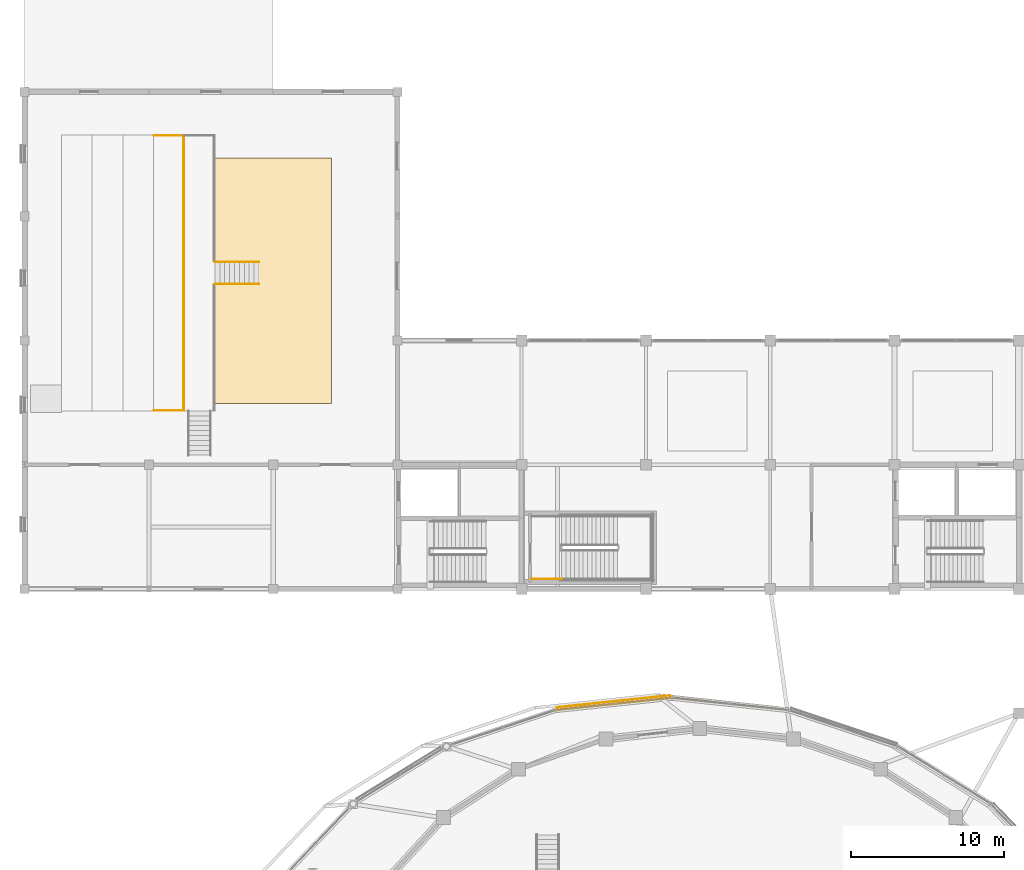
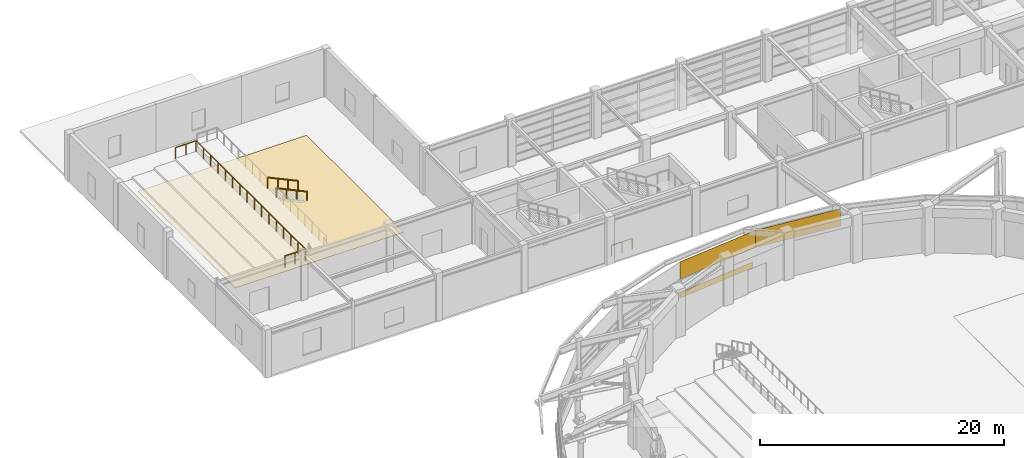
# One storey, part 51 of 56: 4 coverings, 4 railings.
"""IFC4 building model written with IfcOpenShell, lengths in metres."""

from ifc_helpers import new_model, si_unit, direction, frame, origin, origin_2d, place, context, subcontext, project, spatial, rectangle, circle, extrude, material, layer, layer_set, type_object, element, save


model = new_model("IFC4")

# Units and contexts
model_context = context("Model", 3, precision=1e-05, world=origin(), true_north=direction((0.0, 1.0)))
body_context = subcontext(model_context, "Body", "Model", "MODEL_VIEW")
ifc_project = project(units=[si_unit("LENGTHUNIT", "METRE"), si_unit("AREAUNIT", "SQUARE_METRE"), si_unit("VOLUMEUNIT", "CUBIC_METRE"), si_unit("PLANEANGLEUNIT", "RADIAN"), si_unit("MASSUNIT", "GRAM", prefix="KILO")], contexts=[model_context])

# Site, building, storey
site_placement = place(None, origin())
site = spatial("IfcSite", under=ifc_project, at=site_placement, CompositionType="ELEMENT")
building_placement = place(site_placement, origin())
building = spatial("IfcBuilding", under=site, at=building_placement, Name="Parian Resonance Hall", CompositionType="ELEMENT")
storey_placement = place(building_placement, frame((0.0, 0.0, 5.39990234375)))
storey = spatial("IfcBuildingStorey", under=building, at=storey_placement, Name="L01", CompositionType="ELEMENT", Elevation=5.39990234375)

# Coverings
ifc_material_1 = material(Name="Sprung Philippine narra hardwood stage flooring", Category="wood")
ifc_layer_1 = layer(ifc_material_1, 0.030029296875)
ifc_layer_set_1 = layer_set([ifc_layer_1], Name="Sprung Philippine narra hardwood stage flooring")
covering_type_1 = type_object("IfcCoveringType", Name="COV-FLOOR-NARRA", PredefinedType="FLOORING", material=ifc_layer_set_1)
covering_1_placement = place(storey_placement, frame((12.0, 93.0, 0.0), z_axis=(0.0, 0.0, 1.0), x_axis=(1.0, 0.0, 0.0)))
element("IfcCovering", 1, at=covering_1_placement, inside=storey, type_object=covering_type_1, Name="Chamber Music Hall narra flooring", PredefinedType="FLOORING", context=body_context, shape_type="SweptSolid", body=[
    extrude(rectangle(XDim=16.0, YDim=16.0, at=origin_2d()), origin(), (0.0, 0.0, 1.0), 0.030029296875),
])
ifc_material_2 = material(Name="Polychrome trencadis ceramic mosaic cladding")
ifc_layer_2 = layer(ifc_material_2, 0.030029296875)
ifc_layer_set_2 = layer_set([ifc_layer_2], Name="Polychrome trencadis ceramic mosaic cladding")
covering_type_2 = type_object("IfcCoveringType", Name="COV-MOSAIC-CLAD", PredefinedType="CLADDING", material=ifc_layer_set_2)
covering_2_placement = place(storey_placement, frame((46.004638671875, 65.39794921875, 2.35498046875), z_axis=(0.0, 0.0, 1.0), x_axis=(0.994461526343, -0.10510124939, 0.0)))
element("IfcCovering", 2, at=covering_2_placement, inside=storey, type_object=covering_type_2, Name="Elliptical R1 upper mosaic frieze cladding 06", PredefinedType="CLADDING", context=body_context, shape_type="SweptSolid", body=[
    extrude(rectangle(XDim=7.651611328125, YDim=0.030029296875, at=origin_2d()), origin(), (0.0, 0.0, 1.0), 1.72509765625),
])
covering_3_placement = place(storey_placement, frame((38.377197265625, 65.57080078125, 0.28759765625), z_axis=(0.0, 0.0, 1.0), x_axis=(0.994461526343, 0.10510124939, 0.0)))
element("IfcCovering", 3, at=covering_3_placement, inside=storey, type_object=covering_type_2, Name="Polychrome ceramic mosaic frieze L01-010", PredefinedType="CLADDING", context=body_context, shape_type="SweptSolid", body=[
    extrude(rectangle(XDim=7.45166015625, YDim=0.030029296875, at=origin_2d()), origin(), (0.0, 0.0, 1.0), 0.574951171875),
])
covering_4_placement = place(storey_placement, frame((38.3955078125, 65.39794921875, 2.35498046875), z_axis=(0.0, 0.0, 1.0), x_axis=(0.994461526343, 0.10510124939, 0.0)))
element("IfcCovering", 4, at=covering_4_placement, inside=storey, type_object=covering_type_2, Name="Elliptical R1 upper mosaic frieze cladding 07", PredefinedType="CLADDING", context=body_context, shape_type="SweptSolid", body=[
    extrude(rectangle(XDim=7.651611328125, YDim=0.030029296875, at=origin_2d()), origin(), (0.0, 0.0, 1.0), 1.72509765625),
])

# Railings
ifc_material_3 = material(Name="Patinated bronze whiplash metalwork")
railing_type_1 = type_object("IfcRailingType", Name="RAIL-HALL-BAL-1120", PredefinedType="BALUSTRADE", material=ifc_material_3)
railing_1_placement = place(storey_placement, frame((33.050048828125, 73.550048828125, 0.0)))
element("IfcRailing", 5, at=railing_1_placement, inside=storey, type_object=railing_type_1, Name="L01 ST-07 stair guard 8", PredefinedType="BALUSTRADE", context=body_context, shape_type="SweptSolid", body=[
    extrude(circle(Radius=0.02392578125, at=origin_2d()), frame((0.0, 0.0, 1.076171875), z_axis=(1.0, 0.0, 0.0), x_axis=(0.0, 1.0, 0.0)), (0.0, 0.0, 1.0), 1.9599609375),
    extrude(circle(Radius=0.02099609375, at=origin_2d()), origin(), (0.0, 0.0, 1.0), 1.052001953125),
    extrude(circle(Radius=0.02099609375, at=origin_2d()), frame((0.97998046875, 0.0, 0.0)), (0.0, 0.0, 1.0), 1.052001953125),
    extrude(circle(Radius=0.02099609375, at=origin_2d()), frame((1.9599609375, 0.0, 0.0)), (0.0, 0.0, 1.0), 1.052001953125),
])
railing_2_placement = place(storey_placement, frame((8.43994140625, 84.5400390625, 0.8701171875)))
element("IfcRailing", 6, at=railing_2_placement, inside=storey, type_object=railing_type_1, Name="Auditorium upper tier balustrade GRD-TIER-L01-CH-4", PredefinedType="BALUSTRADE", context=body_context, shape_type="SweptSolid", body=[
    extrude(circle(Radius=0.02392578125, at=origin_2d()), frame((0.0, 0.0, 1.09619140625), z_axis=(1.0, 0.0, 0.0), x_axis=(0.0, 1.0, 0.0)), (0.0, 0.0, 1.0), 1.93994140625),
    extrude(circle(Radius=0.02392578125, at=origin_2d()), frame((1.93994140625, 0.0, 1.09619140625), z_axis=(0.0, 1.0, 0.0), x_axis=(-1.0, 0.0, 0.0)), (0.0, 0.0, 1.0), 17.919921875),
    extrude(circle(Radius=0.02392578125, at=origin_2d()), frame((1.93994140625, 17.919921875, 1.09619140625), z_axis=(-1.0, 0.0, 0.0), x_axis=(0.0, -1.0, 0.0)), (0.0, 0.0, 1.0), 1.93994140625),
    extrude(circle(Radius=0.02099609375, at=origin_2d()), origin(), (0.0, 0.0, 1.0), 1.072021484375),
    extrude(circle(Radius=0.02099609375, at=origin_2d()), frame((0.969970703125, 0.0, 0.0)), (0.0, 0.0, 1.0), 1.072021484375),
    extrude(circle(Radius=0.02099609375, at=origin_2d()), frame((1.93994140625, 0.0, 0.0)), (0.0, 0.0, 1.0), 1.072021484375),
    extrude(circle(Radius=0.02099609375, at=origin_2d()), frame((1.93994140625, 1.194580078125, 0.0)), (0.0, 0.0, 1.0), 1.072021484375),
    extrude(circle(Radius=0.02099609375, at=origin_2d()), frame((1.93994140625, 2.389404296875, 0.0)), (0.0, 0.0, 1.0), 1.072021484375),
    extrude(circle(Radius=0.02099609375, at=origin_2d()), frame((1.93994140625, 3.583984375, 0.0)), (0.0, 0.0, 1.0), 1.072021484375),
    extrude(circle(Radius=0.02099609375, at=origin_2d()), frame((1.93994140625, 4.778564453125, 0.0)), (0.0, 0.0, 1.0), 1.072021484375),
    extrude(circle(Radius=0.02099609375, at=origin_2d()), frame((1.93994140625, 5.973388671875, 0.0)), (0.0, 0.0, 1.0), 1.072021484375),
    extrude(circle(Radius=0.02099609375, at=origin_2d()), frame((1.93994140625, 7.16796875, 0.0)), (0.0, 0.0, 1.0), 1.072021484375),
    extrude(circle(Radius=0.02099609375, at=origin_2d()), frame((1.93994140625, 8.362548828125, 0.0)), (0.0, 0.0, 1.0), 1.072021484375),
    extrude(circle(Radius=0.02099609375, at=origin_2d()), frame((1.93994140625, 9.557373046875, 0.0)), (0.0, 0.0, 1.0), 1.072021484375),
    extrude(circle(Radius=0.02099609375, at=origin_2d()), frame((1.93994140625, 10.751953125, 0.0)), (0.0, 0.0, 1.0), 1.072021484375),
    extrude(circle(Radius=0.02099609375, at=origin_2d()), frame((1.93994140625, 11.946533203125, 0.0)), (0.0, 0.0, 1.0), 1.072021484375),
    extrude(circle(Radius=0.02099609375, at=origin_2d()), frame((1.93994140625, 13.141357421875, 0.0)), (0.0, 0.0, 1.0), 1.072021484375),
    extrude(circle(Radius=0.02099609375, at=origin_2d()), frame((1.93994140625, 14.3359375, 0.0)), (0.0, 0.0, 1.0), 1.072021484375),
    extrude(circle(Radius=0.02099609375, at=origin_2d()), frame((1.93994140625, 15.530517578125, 0.0)), (0.0, 0.0, 1.0), 1.072021484375),
    extrude(circle(Radius=0.02099609375, at=origin_2d()), frame((1.93994140625, 16.725341796875, 0.0)), (0.0, 0.0, 1.0), 1.072021484375),
    extrude(circle(Radius=0.02099609375, at=origin_2d()), frame((1.93994140625, 17.919921875, 0.0)), (0.0, 0.0, 1.0), 1.072021484375),
    extrude(circle(Radius=0.02099609375, at=origin_2d()), frame((0.969970703125, 17.919921875, 0.0)), (0.0, 0.0, 1.0), 1.072021484375),
    extrude(circle(Radius=0.02099609375, at=origin_2d()), frame((0.0, 17.919921875, 0.0)), (0.0, 0.0, 1.0), 1.072021484375),
])
ifc_material_4 = material(Name="Patinated bronze whiplash metalwork")
railing_type_2 = type_object("IfcRailingType", Name="RAIL-STAIR-GRD-1100", PredefinedType="GUARDRAIL", material=ifc_material_4)
railing_3_placement = place(storey_placement, frame((15.280029296875, 94.219970703125, 0.150146484375)))
element("IfcRailing", 7, at=railing_3_placement, inside=storey, type_object=railing_type_2, Name="Auditorium aisle guard ST-T04", PredefinedType="GUARDRAIL", context=body_context, shape_type="SweptSolid", body=[
    extrude(circle(Radius=0.02392578125, at=origin_2d()), frame((0.0, 0.0, 1.076171875), z_axis=(-0.905483823073, 0.0, 0.42438077967), x_axis=(0.0, -1.0, 0.0)), (0.0, 0.0, 1.0), 3.1806640625),
    extrude(circle(Radius=0.02099609375, at=origin_2d()), origin(), (0.0, 0.0, 1.0), 1.052001953125),
    extrude(circle(Radius=0.02099609375, at=origin_2d()), frame((-0.9599609375, 0.0, 0.449951171875)), (0.0, 0.0, 1.0), 1.052001953125),
    extrude(circle(Radius=0.02099609375, at=origin_2d()), frame((-1.920166015625, 0.0, 0.89990234375)), (0.0, 0.0, 1.0), 1.052001953125),
    extrude(circle(Radius=0.02099609375, at=origin_2d()), frame((-2.880126953125, 0.0, 1.349853515625)), (0.0, 0.0, 1.0), 1.052001953125),
])
ifc_material_5 = material(Name="Patinated bronze whiplash metalwork")
railing_type_3 = type_object("IfcRailingType", Name="RAIL-STAIR-HR-900", PredefinedType="HANDRAIL", material=ifc_material_5)
railing_4_placement = place(storey_placement, frame((15.280029296875, 92.780029296875, 0.150146484375)))
element("IfcRailing", 8, at=railing_4_placement, inside=storey, type_object=railing_type_3, Name="Auditorium aisle handrail ST-T04", PredefinedType="HANDRAIL", context=body_context, shape_type="SweptSolid", body=[
    extrude(circle(Radius=0.02392578125, at=origin_2d()), frame((0.0, 0.0, 0.8759765625), z_axis=(-0.905483823073, 0.0, 0.42438077967), x_axis=(0.0, -1.0, 0.0)), (0.0, 0.0, 1.0), 3.1806640625),
    extrude(circle(Radius=0.02099609375, at=origin_2d()), origin(), (0.0, 0.0, 1.0), 0.851806640625),
    extrude(circle(Radius=0.02099609375, at=origin_2d()), frame((-0.9599609375, 0.0, 0.449951171875)), (0.0, 0.0, 1.0), 0.851806640625),
    extrude(circle(Radius=0.02099609375, at=origin_2d()), frame((-1.920166015625, 0.0, 0.89990234375)), (0.0, 0.0, 1.0), 0.851806640625),
    extrude(circle(Radius=0.02099609375, at=origin_2d()), frame((-2.880126953125, 0.0, 1.349853515625)), (0.0, 0.0, 1.0), 0.851806640625),
])

save(model, "model.ifc")
